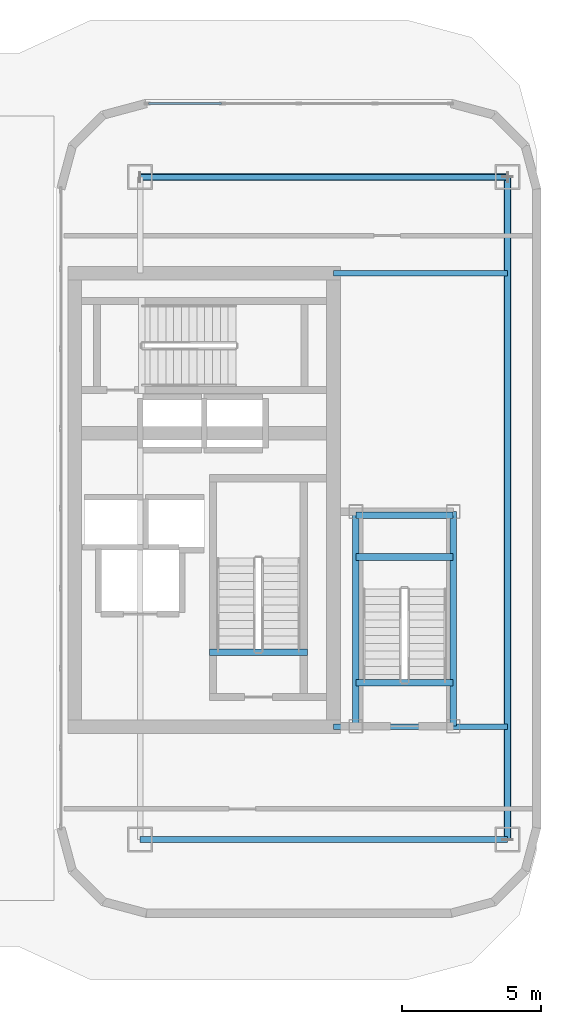
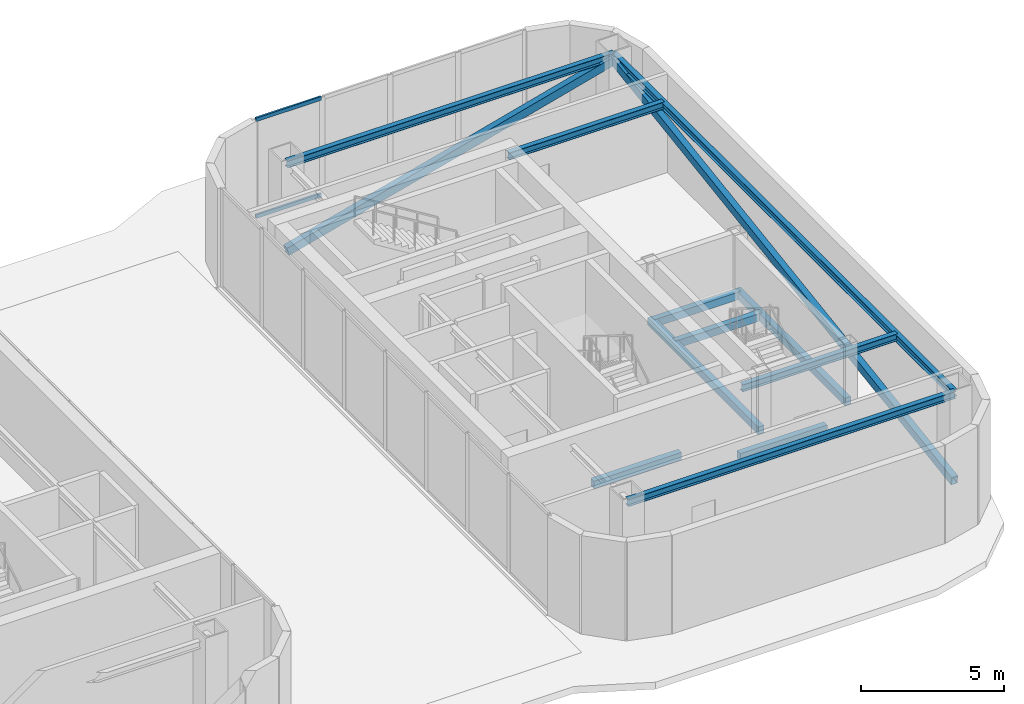
# One storey, part 6 of 14: 11 beams, 4 members, 1 element without a shape of its own.
"""IFC4 building model written with IfcOpenShell, lengths in metres."""

from ifc_helpers import new_model, si_unit, direction, frame, origin, origin_2d, place, context, subcontext, project, spatial, rectangle, hollow_rectangle, i_section, extrude, material, layer, layer_set, material_profile, profile_set, type_object, element, aggregate, save


model = new_model("IFC4")

# Units and contexts
model_context = context("Model", 3, precision=1e-05, world=origin(), true_north=direction((0.0, 1.0)))
body_context = subcontext(model_context, "Body", "Model", "MODEL_VIEW")
ifc_project = project(units=[si_unit("LENGTHUNIT", "METRE"), si_unit("AREAUNIT", "SQUARE_METRE"), si_unit("VOLUMEUNIT", "CUBIC_METRE"), si_unit("PLANEANGLEUNIT", "RADIAN"), si_unit("MASSUNIT", "GRAM", prefix="KILO")], contexts=[model_context])

# Site, building, storey
site_placement = place(None, origin())
site = spatial("IfcSite", under=ifc_project, at=site_placement, CompositionType="ELEMENT")
building_placement = place(site_placement, origin())
building = spatial("IfcBuilding", under=site, at=building_placement, Name="Kiyonajd Concourse Tower", CompositionType="ELEMENT")
storey_placement = place(building_placement, frame((0.0, 0.0, 354.89990234375)))
storey = spatial("IfcBuildingStorey", under=building, at=storey_placement, Name="L89", CompositionType="ELEMENT", Elevation=354.89990234375)

# Beams
ifc_material_1 = material(Name="Steel ASTM A992 Grade 50", Category="steel")
ifc_material_profile_1 = material_profile(ifc_material_1, i_section(OverallWidth=0.2041015625, OverallDepth=0.305908203125, WebThickness=0.008544921875, FlangeThickness=0.0146484375, at=origin_2d()), Name="W310X67")
ifc_profile_set_1 = profile_set([ifc_material_profile_1], Name="Steel ASTM A992 Grade 50")
beam_type_1 = type_object("IfcBeamType", Name="BM-CRN-310", PredefinedType="BEAM", material=ifc_profile_set_1)
beam_1_placement = place(storey_placement, frame((56.39990234375, 23.800048828125, 4.007080078125), z_axis=(1.0, 0.0, 0.0), x_axis=(0.0, 1.0, 0.0)))
element("IfcBeam", 1, at=beam_1_placement, inside=storey, type_object=beam_type_1, Name="L89 E Crown Ring Beam 1", PredefinedType="BEAM", context=body_context, shape_type="SweptSolid", body=[
    extrude(i_section(OverallWidth=0.2041015625, OverallDepth=0.305908203125, WebThickness=0.008544921875, FlangeThickness=0.0146484375, at=origin_2d()), origin(), (0.0, 0.0, 1.0), 13.2001953125),
])
beam_2_placement = place(storey_placement, frame((69.60009765625, 23.800048828125, 4.007080078125), z_axis=(0.0, 1.0, 0.0), x_axis=(-1.0, 0.0, 0.0)))
element("IfcBeam", 2, at=beam_2_placement, inside=storey, type_object=beam_type_1, Name="L89 E Crown Ring Beam 2", PredefinedType="BEAM", context=body_context, shape_type="SweptSolid", body=[
    extrude(i_section(OverallWidth=0.2041015625, OverallDepth=0.305908203125, WebThickness=0.008544921875, FlangeThickness=0.0146484375, at=origin_2d()), origin(), (0.0, 0.0, 1.0), 23.800048828125),
])
beam_3_placement = place(storey_placement, frame((69.60009765625, 47.60009765625, 4.007080078125), z_axis=(-1.0, 0.0, 0.0), x_axis=(0.0, -1.0, 0.0)))
element("IfcBeam", 3, at=beam_3_placement, inside=storey, type_object=beam_type_1, Name="L89 E Crown Ring Beam 3", PredefinedType="BEAM", context=body_context, shape_type="SweptSolid", body=[
    extrude(i_section(OverallWidth=0.2041015625, OverallDepth=0.305908203125, WebThickness=0.008544921875, FlangeThickness=0.0146484375, at=origin_2d()), origin(), (0.0, 0.0, 1.0), 13.2001953125),
])
for number, where, z_axis, x_axis, name in (
    (4, (63.35009765625, 27.85009765625, 4.007080078125), (1.0, 0.0, 0.0), (0.0, 1.0, 0.0), "L89 E Crown Core Tie South"),
    (5, (63.35009765625, 44.14990234375, 4.007080078125), (1.0, 0.0, 0.0), (0.0, 1.0, 0.0), "L89 E Crown Core Tie North"),
):
    element("IfcBeam", number, at=place(storey_placement, frame(where, z_axis=z_axis, x_axis=x_axis)), inside=storey, type_object=beam_type_1, Name=name, PredefinedType="BEAM", context=body_context, shape_type="SweptSolid", body=[
        extrude(i_section(OverallWidth=0.2041015625, OverallDepth=0.305908203125, WebThickness=0.008544921875, FlangeThickness=0.0146484375, at=origin_2d()), origin(), (0.0, 0.0, 1.0), 6.25),
    ])
ifc_material_2 = material(Name="Concrete C50/60", Category="concrete")
ifc_material_profile_2 = material_profile(ifc_material_2, rectangle(XDim=0.239990234375, YDim=0.320068359375, at=origin_2d()), Name="RCBM-240x320")
ifc_profile_set_2 = profile_set([ifc_material_profile_2], Name="Concrete C50/60")
beam_type_2 = type_object("IfcBeamType", Name="BM-LNT-250", PredefinedType="LINTEL", material=ifc_profile_set_2)
beam_4_placement = place(storey_placement, frame((58.889892578125, 30.530029296875, -0.159912109375), z_axis=(1.0, 0.0, 0.0), x_axis=(0.0, 1.0, 0.0)))
element("IfcBeam", 6, at=beam_4_placement, inside=storey, type_object=beam_type_2, Name="L89 Stair ST2 Threshold Support Beam", PredefinedType="LINTEL", context=body_context, shape_type="SweptSolid", body=[
    extrude(rectangle(XDim=0.239990234375, YDim=0.320068359375, at=origin_2d()), origin(), (0.0, 0.0, 1.0), 3.52001953125),
])
for number, where, z_axis, x_axis, name in (
    (7, (64.14990234375, 29.429931640625, -0.159912109375), (1.0, 0.0, 0.0), (0.0, 1.0, 0.0), "L89 Stair ST6 Threshold Support Beam"),
    (8, (64.14990234375, 33.949951171875, 1.89013671875), (1.0, 0.0, 0.0), (0.0, 1.0, 0.0), "L89 Stair ST6 Landing Support Beam"),
    (9, (64.14990234375, 35.449951171875, 1.89013671875), (1.0, 0.0, 0.0), (0.0, 1.0, 0.0), "L89 Stair ST6 Landing Support Beam"),
):
    element("IfcBeam", number, at=place(storey_placement, frame(where, z_axis=z_axis, x_axis=x_axis)), inside=storey, type_object=beam_type_2, Name=name, PredefinedType="LINTEL", context=body_context, shape_type="SweptSolid", body=[
        extrude(rectangle(XDim=0.239990234375, YDim=0.320068359375, at=origin_2d()), origin(), (0.0, 0.0, 1.0), 3.5),
    ])
for number, where, z_axis, x_axis, name in (
    (10, (64.14990234375, 27.8701171875, 1.89013671875), (0.0, 1.0, 0.0), (-1.0, 0.0, 0.0), "L89 Stair ST6 Side Stringer Beam"),
    (11, (67.64990234375, 27.8701171875, 1.89013671875), (0.0, 1.0, 0.0), (-1.0, 0.0, 0.0), "L89 Stair ST6 Side Stringer Beam"),
):
    element("IfcBeam", number, at=place(storey_placement, frame(where, z_axis=z_axis, x_axis=x_axis)), inside=storey, type_object=beam_type_2, Name=name, PredefinedType="LINTEL", context=body_context, shape_type="SweptSolid", body=[
        extrude(rectangle(XDim=0.239990234375, YDim=0.320068359375, at=origin_2d()), origin(), (0.0, 0.0, 1.0), 7.7099609375),
    ])

# Members
ifc_material_3 = material(Name="Steel ASTM A500 Grade C", Category="steel")
ifc_material_profile_3 = material_profile(ifc_material_3, hollow_rectangle(XDim=0.25, YDim=0.35009765625, WallThickness=0.01611328125, at=origin_2d()), Name="HSS-350x250x16")
ifc_profile_set_3 = profile_set([ifc_material_profile_3], Name="Steel ASTM A500 Grade C")
member_type_1 = type_object("IfcMemberType", Name="MB-CRN-BRC", PredefinedType="BRACE", material=ifc_profile_set_3)
member_1_placement = place(storey_placement, frame((56.39990234375, 47.60009765625, 0.300048828125), z_axis=(0.965686426115, 0.0, 0.25971085156), x_axis=(0.0, 1.0, 0.0)))
element("IfcMember", 12, at=member_1_placement, inside=storey, type_object=member_type_1, Name="L89 E Crown Wind Brace 1", PredefinedType="BRACE", context=body_context, shape_type="SweptSolid", body=[
    extrude(hollow_rectangle(XDim=0.25, YDim=0.35009765625, WallThickness=0.01611328125, at=origin_2d()), origin(), (0.0, 0.0, 1.0), 13.669189453125),
])
member_2_placement = place(storey_placement, frame((69.60009765625, 23.800048828125, 0.300048828125), z_axis=(0.0, 0.989057694684, 0.147529239764), x_axis=(-1.0, 0.0, 0.0)))
element("IfcMember", 13, at=member_2_placement, inside=storey, type_object=member_type_1, Name="L89 E Crown Wind Brace 2", PredefinedType="BRACE", context=body_context, shape_type="SweptSolid", body=[
    extrude(hollow_rectangle(XDim=0.25, YDim=0.35009765625, WallThickness=0.01611328125, at=origin_2d()), origin(), (0.0, 0.0, 1.0), 24.0634765625),
])

# Curtain wall, members
ifc_material_4 = material(Name="Thermally Broken Anodised Aluminium", Category="aluminium")
ifc_layer = layer(ifc_material_4, 0.179931640625)
ifc_layer_set = layer_set([ifc_layer], Name="Thermally Broken Anodised Aluminium")
curtain_wall_type = type_object("IfcCurtainWallType", Name="CW-SYS-06", PredefinedType="NOTDEFINED", material=ifc_layer_set)
curtain_wall_placement = place(storey_placement, origin())
curtain_wall = element("IfcCurtainWall", 14, at=curtain_wall_placement, inside=storey, type_object=curtain_wall_type, Name="L89 Unitised Curtain Wall CW6", PredefinedType="NOTDEFINED")
ifc_material_profile_4 = material_profile(ifc_material_4, hollow_rectangle(XDim=0.074951171875, YDim=0.159912109375, WallThickness=0.0048828125, at=origin_2d()), Name="TRAN-75x160")
ifc_profile_set_4 = profile_set([ifc_material_profile_4], Name="Thermally Broken Anodised Aluminium")
member_type_2 = type_object("IfcMemberType", Name="MB-CW-TRAN2", PredefinedType="USERDEFINED", material=ifc_profile_set_4)
member_3_placement = place(storey_placement, frame((56.69482421875, 50.25, 0.03759765625), z_axis=(1.0, 0.0, 0.0), x_axis=(0.0, 1.0, 0.0)))
member_3 = element("IfcMember", 15, at=member_3_placement, type_object=member_type_2, Name="CW6 transom 1.1", ObjectType="TRANSOM", PredefinedType="USERDEFINED", context=body_context, shape_type="SweptSolid", body=[
    extrude(hollow_rectangle(XDim=0.074951171875, YDim=0.159912109375, WallThickness=0.0048828125, at=origin_2d()), origin(), (0.0, 0.0, 1.0), 2.627685546875),
])
member_4_placement = place(storey_placement, frame((56.69482421875, 50.25, 4.16259765625), z_axis=(1.0, 0.0, 0.0), x_axis=(0.0, 1.0, 0.0)))
member_4 = element("IfcMember", 16, at=member_4_placement, type_object=member_type_2, Name="CW6 transom 1.2", ObjectType="TRANSOM", PredefinedType="USERDEFINED", context=body_context, shape_type="SweptSolid", body=[
    extrude(hollow_rectangle(XDim=0.074951171875, YDim=0.159912109375, WallThickness=0.0048828125, at=origin_2d()), origin(), (0.0, 0.0, 1.0), 2.627685546875),
])
aggregate(curtain_wall, [member_3, member_4])

save(model, "model.ifc")
